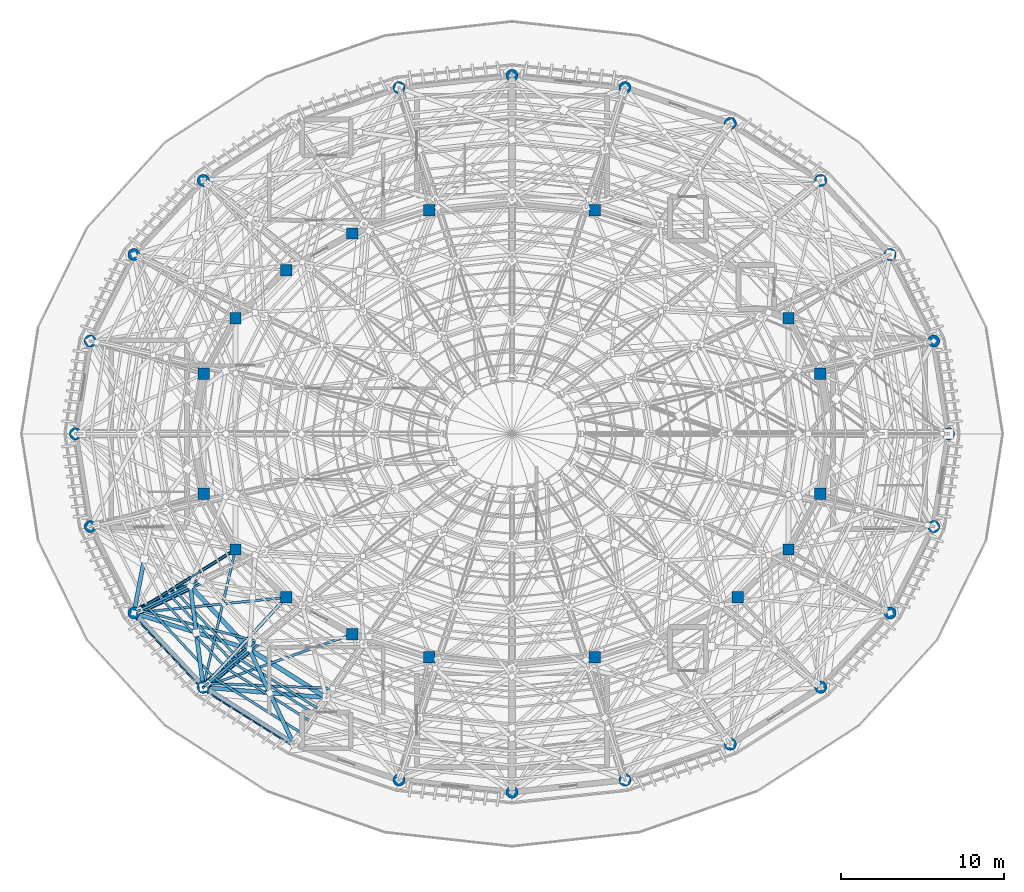
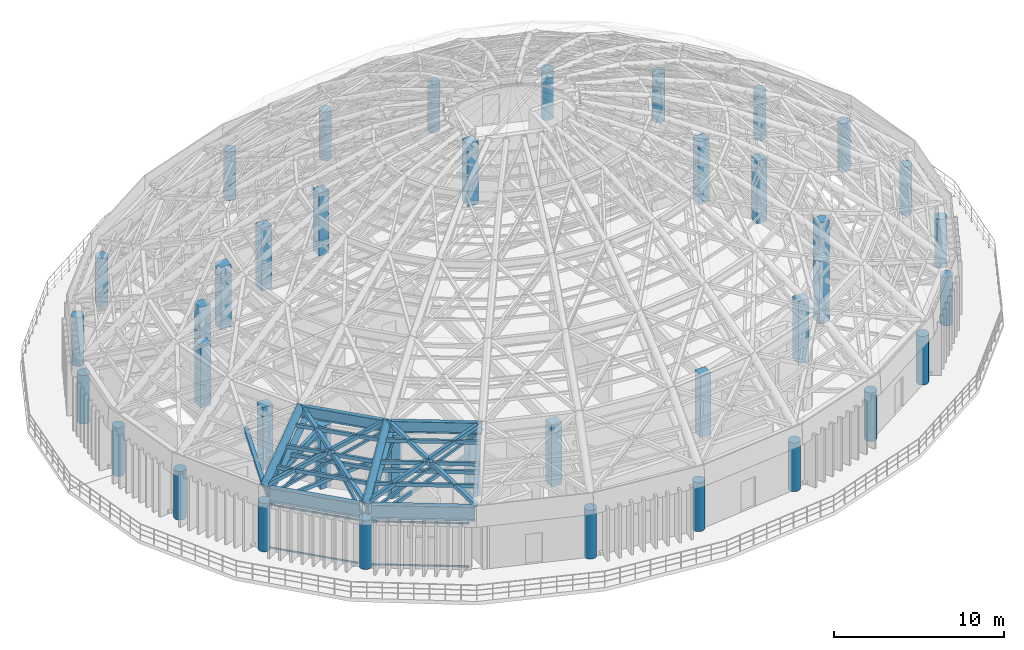
# One storey, part 1 of 50: 39 columns, 35 members, 6 beams.
"""IFC4 building model written with IfcOpenShell, lengths in metres."""

from ifc_helpers import new_model, si_unit, direction, frame, origin, origin_2d, place, context, subcontext, project, spatial, rectangle, hollow_rectangle, circle, hollow_circle, i_section, extrude, material, material_profile, profile_set, type_object, element, save


model = new_model("IFC4")

# Units and contexts
model_context = context("Model", 3, precision=1e-05, world=origin(), true_north=direction((0.0, 1.0)))
body_context = subcontext(model_context, "Body", "Model", "MODEL_VIEW")
ifc_project = project(units=[si_unit("LENGTHUNIT", "METRE"), si_unit("AREAUNIT", "SQUARE_METRE"), si_unit("VOLUMEUNIT", "CUBIC_METRE"), si_unit("PLANEANGLEUNIT", "RADIAN"), si_unit("MASSUNIT", "GRAM", prefix="KILO")], contexts=[model_context])

# Site, building, storey
site_placement = place(None, origin())
site = spatial("IfcSite", under=ifc_project, at=site_placement, CompositionType="ELEMENT")
building_placement = place(site_placement, origin())
building = spatial("IfcBuilding", under=site, at=building_placement, Name="Cinderbank Siding Concert Hall", CompositionType="ELEMENT")
storey_placement = place(building_placement, frame((0.0, 0.0, 23.699951171875)))
storey = spatial("IfcBuildingStorey", under=building, at=storey_placement, Name="L06", CompositionType="ELEMENT", Elevation=23.699951171875)

# Columns
ifc_material_1 = material(Name="Reinforced concrete AS 3600 N50 (50 MPa)", Category="concrete")
ifc_material_profile_1 = material_profile(ifc_material_1, rectangle(XDim=0.699951171875, YDim=0.699951171875, at=origin_2d()), Name="RC-COL-700x700", Category="LoadBearing")
ifc_profile_set_1 = profile_set([ifc_material_profile_1], Name="Reinforced concrete AS 3600 N50 (50 MPa)")
column_type_1 = type_object("IfcColumnType", Name="C-RC700 RC-COL-700x700", PredefinedType="COLUMN", material=ifc_profile_set_1)
for number, where, z_axis, x_axis, name in (
    (1, (140.931884765625, 47.675048828125, 0.0), (0.0, 0.0, 1.0), (1.0, 0.0, 0.0), "L06 Column COL-E1-02"),
    (2, (138.97412109375, 51.10009765625, 0.0), (0.0, 0.0, 1.0), (1.0, 0.0, 0.0), "L06 Column COL-E1-03"),
    (3, (127.072998046875, 57.716064453125, 0.0), (0.0, 0.0, 1.0), (1.0, 0.0, 0.0), "L06 Column COL-E1-06"),
    (4, (116.927001953125, 57.716064453125, 0.0), (0.0, 0.0, 1.0), (1.0, 0.0, 0.0), "L06 Column COL-E1-08"),
    (5, (112.199951171875, 56.298095703125, 0.0), (0.0, 0.0, 1.0), (1.0, 0.0, 0.0), "L06 Column COL-E1-09"),
    (6, (108.14111328125, 54.041015625, 0.0), (0.0, 0.0, 1.0), (1.0, 0.0, 0.0), "L06 Column COL-E1-10"),
    (7, (105.02587890625, 51.10009765625, 0.0), (0.0, 0.0, 1.0), (1.0, 0.0, 0.0), "L06 Column COL-E1-11"),
    (8, (103.068115234375, 47.675048828125, 0.0), (0.0, 0.0, 1.0), (1.0, 0.0, 0.0), "L06 Column COL-E1-12"),
    (9, (103.068115234375, 40.324951171875, 0.0), (0.0, 0.0, 1.0), (1.0, 0.0, 0.0), "L06 Column COL-E1-14"),
    (10, (105.02587890625, 36.89990234375, 0.0), (0.0, 0.0, 1.0), (1.0, 0.0, 0.0), "L06 Column COL-E1-15"),
    (11, (108.14111328125, 33.958984375, 0.0), (0.0, 0.0, 1.0), (1.0, 0.0, 0.0), "L06 Column COL-E1-16"),
    (12, (112.199951171875, 31.701904296875, 0.0), (0.0, 0.0, 1.0), (1.0, 0.0, 0.0), "L06 Column COL-E1-17"),
    (13, (116.927001953125, 30.283935546875, 0.0), (0.0, 0.0, 1.0), (1.0, 0.0, 0.0), "L06 Column COL-E1-18"),
    (14, (127.072998046875, 30.283935546875, 0.0), (0.0, 0.0, 1.0), (1.0, 0.0, 0.0), "L06 Column COL-E1-20"),
    (15, (135.85888671875, 33.958984375, 0.0), (0.0, 0.0, 1.0), (1.0, 0.0, 0.0), "L06 Column COL-E1-22"),
    (16, (138.97412109375, 36.89990234375, 0.0), (0.0, 0.0, 1.0), (1.0, 0.0, 0.0), "L06 Column COL-E1-23"),
    (17, (140.931884765625, 40.324951171875, 0.0), (0.0, 0.0, 1.0), (1.0, 0.0, 0.0), "L06 Column COL-E1-24"),
):
    element("IfcColumn", number, at=place(storey_placement, frame(where, z_axis=z_axis, x_axis=x_axis)), inside=storey, type_object=column_type_1, Name=name, PredefinedType="COLUMN", context=body_context, shape_type="SweptSolid", body=[
        extrude(rectangle(XDim=0.699951171875, YDim=0.699951171875, at=origin_2d()), origin(), (0.0, 0.0, 1.0), 4.5),
    ])
ifc_material_profile_2 = material_profile(ifc_material_1, circle(Radius=0.375, at=origin_2d()), Name="RC-COL-750DIA", Category="LoadBearing")
ifc_profile_set_2 = profile_set([ifc_material_profile_2], Name="Reinforced concrete AS 3600 N50 (50 MPa)")
column_type_2 = type_object("IfcColumnType", Name="C-RCD750 RC-COL-750DIA", PredefinedType="COLUMN", material=ifc_profile_set_2)
for number, where, z_axis, x_axis, name in (
    (18, (148.800048828125, 44.0, 0.0), (0.0, 0.0, 1.0), (1.0, 0.0, 0.0), "L06 Column COL-E2-01"),
    (19, (147.886962890625, 49.694091796875, 0.0), (0.0, 0.0, 1.0), (1.0, 0.0, 0.0), "L06 Column COL-E2-02"),
    (20, (145.208984375, 55.0, 0.0), (0.0, 0.0, 1.0), (1.0, 0.0, 0.0), "L06 Column COL-E2-03"),
    (21, (140.950927734375, 59.555908203125, 0.0), (0.0, 0.0, 1.0), (1.0, 0.0, 0.0), "L06 Column COL-E2-04"),
    (22, (135.39990234375, 63.052978515625, 0.0), (0.0, 0.0, 1.0), (1.0, 0.0, 0.0), "L06 Column COL-E2-05"),
    (23, (128.93603515625, 65.25, 0.0), (0.0, 0.0, 1.0), (1.0, 0.0, 0.0), "L06 Column COL-E2-06"),
    (24, (122.0, 66.0, 0.0), (0.0, 0.0, 1.0), (1.0, 0.0, 0.0), "L06 Column COL-E2-07"),
    (25, (115.06396484375, 65.25, 0.0), (0.0, 0.0, 1.0), (1.0, 0.0, 0.0), "L06 Column COL-E2-08"),
    (26, (103.049072265625, 59.555908203125, 0.0), (0.0, 0.0, 1.0), (1.0, 0.0, 0.0), "L06 Column COL-E2-10"),
    (27, (98.7900390625, 55.0, 0.0), (0.0, 0.0, 1.0), (1.0, 0.0, 0.0), "L06 Column COL-E2-11"),
    (28, (96.113037109375, 49.694091796875, 0.0), (0.0, 0.0, 1.0), (1.0, 0.0, 0.0), "L06 Column COL-E2-12"),
    (29, (95.199951171875, 44.0, 0.0), (0.0, 0.0, 1.0), (1.0, 0.0, 0.0), "L06 Column COL-E2-13"),
    (30, (96.113037109375, 38.305908203125, 0.0), (0.0, 0.0, 1.0), (1.0, 0.0, 0.0), "L06 Column COL-E2-14"),
    (31, (98.7900390625, 33.0, 0.0), (0.0, 0.0, 1.0), (1.0, 0.0, 0.0), "L06 Column COL-E2-15"),
    (32, (103.049072265625, 28.444091796875, 0.0), (0.0, 0.0, 1.0), (1.0, 0.0, 0.0), "L06 Column COL-E2-16"),
    (33, (115.06396484375, 22.75, 0.0), (0.0, 0.0, 1.0), (1.0, 0.0, 0.0), "L06 Column COL-E2-18"),
    (34, (122.0, 22.0, 0.0), (0.0, 0.0, 1.0), (1.0, 0.0, 0.0), "L06 Column COL-E2-19"),
    (35, (128.93603515625, 22.75, 0.0), (0.0, 0.0, 1.0), (1.0, 0.0, 0.0), "L06 Column COL-E2-20"),
    (36, (135.39990234375, 24.947021484375, 0.0), (0.0, 0.0, 1.0), (1.0, 0.0, 0.0), "L06 Column COL-E2-21"),
    (37, (140.950927734375, 28.444091796875, 0.0), (0.0, 0.0, 1.0), (1.0, 0.0, 0.0), "L06 Column COL-E2-22"),
    (38, (145.208984375, 33.0, 0.0), (0.0, 0.0, 1.0), (1.0, 0.0, 0.0), "L06 Column COL-E2-23"),
    (39, (147.886962890625, 38.305908203125, 0.0), (0.0, 0.0, 1.0), (1.0, 0.0, 0.0), "L06 Column COL-E2-24"),
):
    element("IfcColumn", number, at=place(storey_placement, frame(where, z_axis=z_axis, x_axis=x_axis)), inside=storey, type_object=column_type_2, Name=name, PredefinedType="COLUMN", context=body_context, shape_type="SweptSolid", body=[
        extrude(circle(Radius=0.375, at=origin_2d()), origin(), (0.0, 0.0, 1.0), 3.5),
    ])

# Beams
ifc_material_2 = material(Name="Structural steel AS/NZS 3679.1 Grade 350 (340 MPa)", Category="steel")
ifc_material_profile_3 = material_profile(ifc_material_2, i_section(OverallWidth=0.208984375, OverallDepth=0.532958984375, WebThickness=0.01025390625, FlangeThickness=0.015625, at=origin_2d()), Name="530UB92.4", Category="LoadBearing")
ifc_profile_set_3 = profile_set([ifc_material_profile_3], Name="Structural steel AS/NZS 3679.1 Grade 350 (340 MPa)")
beam_type_1 = type_object("IfcBeamType", Name="BM-UB530H 530UB92.4", PredefinedType="BEAM", material=ifc_profile_set_3)
beam_1_placement = place(storey_placement, frame((104.73583984375, 36.718505859375, 4.235595703125), z_axis=(-0.84781868984, -0.530286214376, 0.0), x_axis=(0.530286214376, -0.84781868984, 0.0)))
element("IfcBeam", 40, at=beam_1_placement, inside=storey, type_object=beam_type_1, Name="L06 Beam BM-UB530H #847", PredefinedType="BEAM", context=body_context, shape_type="SweptSolid", body=[
    extrude(i_section(OverallWidth=0.208984375, OverallDepth=0.532958984375, WebThickness=0.01025390625, FlangeThickness=0.015625, at=origin_2d()), origin(), (0.0, 0.0, 1.0), 6.645263671875),
])
beam_2_placement = place(storey_placement, frame((107.90869140625, 33.707763671875, 4.235595703125), z_axis=(-0.67829203735, -0.734792427879, 0.0), x_axis=(0.734792427879, -0.67829203735, 0.0)))
element("IfcBeam", 41, at=beam_2_placement, inside=storey, type_object=beam_type_1, Name="L06 Beam BM-UB530H #848", PredefinedType="BEAM", context=body_context, shape_type="SweptSolid", body=[
    extrude(i_section(OverallWidth=0.208984375, OverallDepth=0.532958984375, WebThickness=0.01025390625, FlangeThickness=0.015625, at=origin_2d()), origin(), (0.0, 0.0, 1.0), 6.797119140625),
])
ifc_material_3 = material(Name="Structural steel welded plate section AS/NZS 3679.2 / AS/NZS 3678 Grade 350 (340 MPa)", Category="steel")
ifc_material_profile_4 = material_profile(ifc_material_3, i_section(OverallWidth=0.35009765625, OverallDepth=1.0, WebThickness=0.013916015625, FlangeThickness=0.02490234375, at=origin_2d()), Name="1000WB258", Category="LoadBearing")
ifc_profile_set_4 = profile_set([ifc_material_profile_4], Name="Structural steel welded plate section AS/NZS 3679.2 / AS/NZS 3678 Grade 350 (340 MPa)")
beam_type_2 = type_object("IfcBeamType", Name="BM-WB1000 1000WB258", PredefinedType="BEAM", material=ifc_profile_set_4)
beam_3_placement = place(storey_placement, frame((99.041015625, 32.73193359375, 4.0), z_axis=(0.682880789785, -0.730529826183, 0.0), x_axis=(0.730529826183, 0.682880789785, 0.0)))
element("IfcBeam", 42, at=beam_3_placement, inside=storey, type_object=beam_type_2, Name="L06 Beam BM-WB1000 #830", PredefinedType="BEAM", context=body_context, shape_type="SweptSolid", body=[
    extrude(i_section(OverallWidth=0.35009765625, OverallDepth=1.0, WebThickness=0.013916015625, FlangeThickness=0.02490234375, at=origin_2d()), origin(), (0.0, 0.0, 1.0), 5.5029296875),
])
beam_4_placement = place(storey_placement, frame((103.360107421875, 28.248046875, 4.0), z_axis=(0.846129105175, -0.532977989578, 0.0), x_axis=(0.532977989578, 0.846129105175, 0.0)))
element("IfcBeam", 43, at=beam_4_placement, inside=storey, type_object=beam_type_2, Name="L06 Beam BM-WB1000 #831", PredefinedType="BEAM", context=body_context, shape_type="SweptSolid", body=[
    extrude(i_section(OverallWidth=0.35009765625, OverallDepth=1.0, WebThickness=0.013916015625, FlangeThickness=0.02490234375, at=origin_2d()), origin(), (0.0, 0.0, 1.0), 6.0927734375),
])
ifc_material_profile_5 = material_profile(ifc_material_3, i_section(OverallWidth=0.27490234375, OverallDepth=0.800048828125, WebThickness=0.010009765625, FlangeThickness=0.01611328125, at=origin_2d()), Name="800WB146", Category="LoadBearing")
ifc_profile_set_5 = profile_set([ifc_material_profile_5], Name="Structural steel welded plate section AS/NZS 3679.2 / AS/NZS 3678 Grade 350 (340 MPa)")
beam_type_3 = type_object("IfcBeamType", Name="BM-WB800 800WB146", PredefinedType="BEAM", material=ifc_profile_set_5)
beam_5_placement = place(storey_placement, frame((102.254638671875, 34.64990234375, 7.699951171875), z_axis=(0.683191972894, -0.730238815849, 0.0), x_axis=(0.730238815849, 0.683191972894, 0.0)))
element("IfcBeam", 44, at=beam_5_placement, inside=storey, type_object=beam_type_3, Name="L06 Beam BM-WB800 #2047", PredefinedType="BEAM", context=body_context, shape_type="SweptSolid", body=[
    extrude(i_section(OverallWidth=0.27490234375, OverallDepth=0.800048828125, WebThickness=0.010009765625, FlangeThickness=0.01611328125, at=origin_2d()), origin(), (0.0, 0.0, 1.0), 5.303466796875),
])
beam_6_placement = place(storey_placement, frame((105.8779296875, 30.777099609375, 7.699951171875), z_axis=(0.846357040172, -0.532615959723, 0.0), x_axis=(0.532615959723, 0.846357040172, 0.0)))
element("IfcBeam", 45, at=beam_6_placement, inside=storey, type_object=beam_type_3, Name="L06 Beam BM-WB800 #2048", PredefinedType="BEAM", context=body_context, shape_type="SweptSolid", body=[
    extrude(i_section(OverallWidth=0.27490234375, OverallDepth=0.800048828125, WebThickness=0.010009765625, FlangeThickness=0.01611328125, at=origin_2d()), origin(), (0.0, 0.0, 1.0), 5.579345703125),
])

# Members
ifc_material_4 = material(Name="Structural steel hollow section AS/NZS 1163 Grade C350L0 (350 MPa)", Category="steel")
ifc_material_profile_6 = material_profile(ifc_material_4, hollow_rectangle(XDim=0.14990234375, YDim=0.14990234375, WallThickness=0.008056640625, at=origin_2d()), Name="150x150x8.0SHS", Category="LoadBearing")
ifc_profile_set_6 = profile_set([ifc_material_profile_6], Name="Structural steel hollow section AS/NZS 1163 Grade C350L0 (350 MPa)")
member_type_1 = type_object("IfcMemberType", Name="BR-SHS150 150x150x8.0SHS Roof Truss", PredefinedType="BRACE", material=ifc_profile_set_6)
member_1_placement = place(storey_placement, frame((99.138671875, 33.1650390625, 3.550048828125), z_axis=(0.545595440162, 0.259994630343, 0.79669844224), x_axis=(-0.430186155729, 0.902740201508, 0.0)))
element("IfcMember", 46, at=member_1_placement, inside=storey, type_object=member_type_1, Name="L06 Diagonal Brace BR-SHS150 #DWBD-BR-SHS150-L06-0698", PredefinedType="BRACE", context=body_context, shape_type="SweptSolid", body=[
    extrude(hollow_rectangle(XDim=0.14990234375, YDim=0.14990234375, WallThickness=0.008056640625, at=origin_2d()), origin(), (0.0, 0.0, 1.0), 5.711181640625),
])
member_2_placement = place(storey_placement, frame((99.138671875, 33.1650390625, 3.550048828125), z_axis=(-0.339616879997, -0.160996501317, 0.926682524592), x_axis=(0.428358715974, -0.903608770679, 0.0)))
element("IfcMember", 47, at=member_2_placement, inside=storey, type_object=member_type_1, Name="L06 Diagonal Brace BR-SHS150 #DWBV-BR-SHS150-L06-0701", PredefinedType="BRACE", context=body_context, shape_type="SweptSolid", body=[
    extrude(hollow_rectangle(XDim=0.14990234375, YDim=0.14990234375, WallThickness=0.008056640625, at=origin_2d()), origin(), (0.0, 0.0, 1.0), 1.025146484375),
])
member_3_placement = place(storey_placement, frame((99.138671875, 33.1650390625, 3.550048828125), z_axis=(0.872886709146, -0.230075604266, 0.430272017819), x_axis=(0.25487513869, 0.966973972596, 0.0)))
element("IfcMember", 48, at=member_3_placement, inside=storey, type_object=member_type_1, Name="L06 Diagonal Brace BR-SHS150 #DBRI-BR-SHS150-L06-0707", PredefinedType="BRACE", context=body_context, shape_type="SweptSolid", body=[
    extrude(hollow_rectangle(XDim=0.14990234375, YDim=0.14990234375, WallThickness=0.008056640625, at=origin_2d()), origin(), (0.0, 0.0, 1.0), 8.366943359375),
])
member_4_placement = place(storey_placement, frame((103.333740234375, 28.677001953125, 3.550048828125), z_axis=(0.452689460035, 0.373671887076, 0.80959346192), x_axis=(-0.636588791364, 0.771203417206, 0.0)))
element("IfcMember", 49, at=member_4_placement, inside=storey, type_object=member_type_1, Name="L06 Diagonal Brace BR-SHS150 #DWBD-BR-SHS150-L06-0710", PredefinedType="BRACE", context=body_context, shape_type="SweptSolid", body=[
    extrude(hollow_rectangle(XDim=0.14990234375, YDim=0.14990234375, WallThickness=0.008056640625, at=origin_2d()), origin(), (0.0, 0.0, 1.0), 5.6201171875),
])
member_5_placement = place(storey_placement, frame((103.333740234375, 28.677001953125, 3.550048828125), z_axis=(-0.27897780154, -0.229126098172, 0.932562393293), x_axis=(0.63468279093, -0.772772770546, 0.0)))
element("IfcMember", 50, at=member_5_placement, inside=storey, type_object=member_type_1, Name="L06 Diagonal Brace BR-SHS150 #DWBV-BR-SHS150-L06-0713", PredefinedType="BRACE", context=body_context, shape_type="SweptSolid", body=[
    extrude(hollow_rectangle(XDim=0.14990234375, YDim=0.14990234375, WallThickness=0.008056640625, at=origin_2d()), origin(), (0.0, 0.0, 1.0), 1.0185546875),
])
member_6_placement = place(storey_placement, frame((103.333740234375, 28.677001953125, 3.550048828125), z_axis=(0.90455499576, -0.035983985403, 0.424835747602), x_axis=(0.039749431129, 0.999209679059, 0.0)))
element("IfcMember", 51, at=member_6_placement, inside=storey, type_object=member_type_1, Name="L06 Diagonal Brace BR-SHS150 #DBRI-BR-SHS150-L06-0719", PredefinedType="BRACE", context=body_context, shape_type="SweptSolid", body=[
    extrude(hollow_rectangle(XDim=0.14990234375, YDim=0.14990234375, WallThickness=0.008056640625, at=origin_2d()), origin(), (0.0, 0.0, 1.0), 8.47412109375),
])
member_7_placement = place(storey_placement, frame((102.94580078125, 34.977294921875, 7.150146484375), z_axis=(-0.56673612526, -0.26845395407, 0.778936864495), x_axis=(0.428086344739, -0.903737838894, 0.0)))
element("IfcMember", 52, at=member_7_placement, inside=storey, type_object=member_type_1, Name="L06 Diagonal Brace BR-SHS150 #DWBV-BR-SHS150-L06-0989", PredefinedType="BRACE", context=body_context, shape_type="SweptSolid", body=[
    extrude(hollow_rectangle(XDim=0.14990234375, YDim=0.14990234375, WallThickness=0.008056640625, at=origin_2d()), origin(), (0.0, 0.0, 1.0), 1.219482421875),
])
member_8_placement = place(storey_placement, frame((106.442138671875, 31.239990234375, 7.150146484375), z_axis=(-0.470991454389, -0.386412720693, 0.793002054966), x_axis=(0.634275599208, -0.77310701992, 0.0)))
element("IfcMember", 53, at=member_8_placement, inside=storey, type_object=member_type_1, Name="L06 Diagonal Brace BR-SHS150 #DWBV-BR-SHS150-L06-1001", PredefinedType="BRACE", context=body_context, shape_type="SweptSolid", body=[
    extrude(hollow_rectangle(XDim=0.14990234375, YDim=0.14990234375, WallThickness=0.008056640625, at=origin_2d()), origin(), (0.0, 0.0, 1.0), 1.197998046875),
])
ifc_material_profile_7 = material_profile(ifc_material_4, hollow_rectangle(XDim=0.25, YDim=0.25, WallThickness=0.010009765625, at=origin_2d()), Name="250x250x10.0SHS", Category="LoadBearing")
ifc_profile_set_7 = profile_set([ifc_material_profile_7], Name="Structural steel hollow section AS/NZS 1163 Grade C350L0 (350 MPa)")
member_type_2 = type_object("IfcMemberType", Name="BR-SHS250 250x250x10.0SHS Roof Truss", PredefinedType="BRACE", material=ifc_profile_set_7)
member_9_placement = place(storey_placement, frame((98.79052734375, 33.0, 4.5), z_axis=(0.164039053176, 0.851661679594, 0.49775854844), x_axis=(-0.981951247907, 0.189134202971, 0.0)))
element("IfcMember", 54, at=member_9_placement, inside=storey, type_object=member_type_2, Name="L06 Diagonal Brace BR-SHS250 #DBRO-BR-SHS250-L06-0694", PredefinedType="BRACE", context=body_context, shape_type="SweptSolid", body=[
    extrude(hollow_rectangle(XDim=0.25, YDim=0.25, WallThickness=0.010009765625, at=origin_2d()), origin(), (0.0, 0.0, 1.0), 3.89501953125),
])
member_10_placement = place(storey_placement, frame((98.79052734375, 33.0, 4.5), z_axis=(0.858632848561, -0.269302517607, 0.436148811053), x_axis=(0.299266732381, 0.954169493796, 0.0)))
element("IfcMember", 55, at=member_10_placement, inside=storey, type_object=member_type_2, Name="L06 Diagonal Brace BR-SHS250 #DBRO-BR-SHS250-L06-0705", PredefinedType="BRACE", context=body_context, shape_type="SweptSolid", body=[
    extrude(hollow_rectangle(XDim=0.25, YDim=0.25, WallThickness=0.010009765625, at=origin_2d()), origin(), (0.0, 0.0, 1.0), 8.25439453125),
])
member_11_placement = place(storey_placement, frame((103.049560546875, 28.443603515625, 4.5), z_axis=(-0.110106211662, 0.859745479311, 0.498712675754), x_axis=(-0.991898764162, -0.127030868905, 0.0)))
element("IfcMember", 56, at=member_11_placement, inside=storey, type_object=member_type_2, Name="L06 Diagonal Brace BR-SHS250 #DBRO-BR-SHS250-L06-0706", PredefinedType="BRACE", context=body_context, shape_type="SweptSolid", body=[
    extrude(hollow_rectangle(XDim=0.25, YDim=0.25, WallThickness=0.010009765625, at=origin_2d()), origin(), (0.0, 0.0, 1.0), 3.886962890625),
])
member_12_placement = place(storey_placement, frame((102.6181640625, 31.811279296875, 6.453369140625), z_axis=(-0.110100351574, 0.85972920601, 0.498742022408), x_axis=(-0.991899313078, -0.12702658271, 0.0)))
element("IfcMember", 57, at=member_12_placement, inside=storey, type_object=member_type_2, Name="L06 Diagonal Brace BR-SHS250 #DBRO-BR-SHS250-L06-0706-S71", PredefinedType="BRACE", context=body_context, shape_type="SweptSolid", body=[
    extrude(hollow_rectangle(XDim=0.25, YDim=0.25, WallThickness=0.010009765625, at=origin_2d()), origin(), (0.0, 0.0, 1.0), 3.3017578125),
])
member_13_placement = place(storey_placement, frame((103.049560546875, 28.443603515625, 4.5), z_axis=(0.900031188396, -0.076072089969, 0.429135056879), x_axis=(0.084221316312, 0.996447073295, 0.0)))
element("IfcMember", 58, at=member_13_placement, inside=storey, type_object=member_type_2, Name="L06 Diagonal Brace BR-SHS250 #DBRO-BR-SHS250-L06-0717", PredefinedType="BRACE", context=body_context, shape_type="SweptSolid", body=[
    extrude(hollow_rectangle(XDim=0.25, YDim=0.25, WallThickness=0.010009765625, at=origin_2d()), origin(), (0.0, 0.0, 1.0), 8.38916015625),
])
member_14_placement = place(storey_placement, frame((108.60009765625, 24.947509765625, 4.5), z_axis=(-0.369192061339, 0.790721694593, 0.488320001172), x_axis=(-0.906100301336, -0.423062931393, 0.0)))
element("IfcMember", 59, at=member_14_placement, inside=storey, type_object=member_type_2, Name="L06 Diagonal Brace BR-SHS250 #DBRO-BR-SHS250-L06-0718", PredefinedType="BRACE", context=body_context, shape_type="SweptSolid", body=[
    extrude(hollow_rectangle(XDim=0.25, YDim=0.25, WallThickness=0.010009765625, at=origin_2d()), origin(), (0.0, 0.0, 1.0), 3.9697265625),
])
member_15_placement = place(storey_placement, frame((107.123291015625, 28.110107421875, 6.453125), z_axis=(-0.369228339727, 0.790717581489, 0.488299231483), x_axis=(-0.906083521163, -0.423098868679, 0.0)))
element("IfcMember", 60, at=member_15_placement, inside=storey, type_object=member_type_2, Name="L06 Diagonal Brace BR-SHS250 #DBRO-BR-SHS250-L06-0718-S72", PredefinedType="BRACE", context=body_context, shape_type="SweptSolid", body=[
    extrude(hollow_rectangle(XDim=0.25, YDim=0.25, WallThickness=0.010009765625, at=origin_2d()), origin(), (0.0, 0.0, 1.0), 3.372802734375),
])
ifc_material_profile_8 = material_profile(ifc_material_4, hollow_circle(Radius=0.203125, WallThickness=0.01611328125, at=origin_2d()), Name="406.4x16.0CHS", Category="LoadBearing")
ifc_profile_set_8 = profile_set([ifc_material_profile_8], Name="Structural steel hollow section AS/NZS 1163 Grade C350L0 (350 MPa)")
member_type_3 = type_object("IfcMemberType", Name="DR-CHS406 406.4x16.0CHS Roof Truss", PredefinedType="RAFTER", material=ifc_profile_set_8)
member_16_placement = place(storey_placement, frame((99.138671875, 33.1650390625, 3.550048828125), z_axis=(0.686675048231, 0.326868595807, 0.649333734848), x_axis=(-0.429805464198, 0.902921515385, 0.0)))
element("IfcMember", 61, at=member_16_placement, inside=storey, type_object=member_type_3, Name="L06 Roof Truss Member DR-CHS406 #697", PredefinedType="RAFTER", context=body_context, shape_type="SweptSolid", body=[
    extrude(hollow_circle(Radius=0.203125, WallThickness=0.01611328125, at=origin_2d()), origin(), (0.0, 0.0, 1.0), 5.544189453125),
])
member_17_placement = place(storey_placement, frame((103.333740234375, 28.677001953125, 3.550048828125), z_axis=(0.575316188818, 0.474369254651, 0.666322064115), x_axis=(-0.636170191189, 0.771548759213, 0.0)))
element("IfcMember", 62, at=member_17_placement, inside=storey, type_object=member_type_3, Name="L06 Roof Truss Member DR-CHS406 #709", PredefinedType="RAFTER", context=body_context, shape_type="SweptSolid", body=[
    extrude(hollow_circle(Radius=0.203125, WallThickness=0.01611328125, at=origin_2d()), origin(), (0.0, 0.0, 1.0), 5.40283203125),
])
ifc_material_profile_9 = material_profile(ifc_material_4, hollow_circle(Radius=0.25390625, WallThickness=0.01611328125, at=origin_2d()), Name="508.0x16.0CHS", Category="LoadBearing")
ifc_profile_set_9 = profile_set([ifc_material_profile_9], Name="Structural steel hollow section AS/NZS 1163 Grade C350L0 (350 MPa)")
member_type_4 = type_object("IfcMemberType", Name="DR-CHS508 508.0x16.0CHS Roof Truss", PredefinedType="RAFTER", material=ifc_profile_set_9)
member_18_placement = place(storey_placement, frame((98.79052734375, 33.0, 4.5), z_axis=(0.658393706592, 0.313582681595, 0.684239452914), x_axis=(-0.430002735645, 0.902827584502, 0.0)))
element("IfcMember", 63, at=member_18_placement, inside=storey, type_object=member_type_4, Name="L06 Roof Truss Member DR-CHS508 #696", PredefinedType="RAFTER", context=body_context, shape_type="SweptSolid", body=[
    extrude(hollow_circle(Radius=0.25390625, WallThickness=0.01611328125, at=origin_2d()), origin(), (0.0, 0.0, 1.0), 5.261474609375),
])
member_19_placement = place(storey_placement, frame((103.049560546875, 28.443603515625, 4.5), z_axis=(0.550412440768, 0.454108080177, 0.700594031209), x_axis=(-0.636397811369, 0.771361021627, 0.0)))
element("IfcMember", 64, at=member_19_placement, inside=storey, type_object=member_type_4, Name="L06 Roof Truss Member DR-CHS508 #708", PredefinedType="RAFTER", context=body_context, shape_type="SweptSolid", body=[
    extrude(hollow_circle(Radius=0.25390625, WallThickness=0.01611328125, at=origin_2d()), origin(), (0.0, 0.0, 1.0), 5.138671875),
])
ifc_material_5 = material(Name="Anodised aluminium alloy 6063-T6", Category="aluminium")
ifc_material_profile_10 = material_profile(ifc_material_5, rectangle(XDim=0.080078125, YDim=0.10009765625, at=origin_2d()), Name="ALU-RAIL-80x100", Category="LoadBearing")
ifc_profile_set_10 = profile_set([ifc_material_profile_10], Name="Anodised aluminium alloy 6063-T6")
member_type_5 = type_object("IfcMemberType", Name="LV-RL1 Carrier Rail 80x100", PredefinedType="STUD", material=ifc_profile_set_10)
for number, where, z_axis, x_axis, name in (
    (65, (98.94677734375, 32.645751953125, 0.219970703125), (0.682858444422, -0.730550713422, 0.0), (0.730550713422, 0.682858444422, 0.0), "L06 Louvre Carrier Rail 15 BOT"),
    (66, (98.94677734375, 32.645751953125, 3.320068359375), (0.682858444422, -0.730550713422, 0.0), (0.730550713422, 0.682858444422, 0.0), "L06 Louvre Carrier Rail 15 TOP"),
):
    element("IfcMember", number, at=place(storey_placement, frame(where, z_axis=z_axis, x_axis=x_axis)), inside=storey, type_object=member_type_5, Name=name, PredefinedType="STUD", context=body_context, shape_type="SweptSolid", body=[
        extrude(rectangle(XDim=0.080078125, YDim=0.10009765625, at=origin_2d()), origin(), (0.0, 0.0, 1.0), 5.45703125),
    ])
for number, where, z_axis, x_axis, name in (
    (67, (103.290771484375, 28.140869140625, 0.219970703125), (0.84612066394, -0.532991390225, 0.0), (0.532991390225, 0.84612066394, 0.0), "L06 Louvre Carrier Rail 16 BOT"),
    (68, (103.290771484375, 28.140869140625, 3.320068359375), (0.84612066394, -0.532991390225, 0.0), (0.532991390225, 0.84612066394, 0.0), "L06 Louvre Carrier Rail 16 TOP"),
):
    element("IfcMember", number, at=place(storey_placement, frame(where, z_axis=z_axis, x_axis=x_axis)), inside=storey, type_object=member_type_5, Name=name, PredefinedType="STUD", context=body_context, shape_type="SweptSolid", body=[
        extrude(rectangle(XDim=0.080078125, YDim=0.10009765625, at=origin_2d()), origin(), (0.0, 0.0, 1.0), 5.77978515625),
    ])
ifc_material_profile_11 = material_profile(ifc_material_4, hollow_rectangle(XDim=0.10009765625, YDim=0.199951171875, WallThickness=0.008056640625, at=origin_2d()), Name="200x100x8.0RHS", Category="LoadBearing")
ifc_profile_set_11 = profile_set([ifc_material_profile_11], Name="Structural steel hollow section AS/NZS 1163 Grade C350L0 (350 MPa)")
member_type_6 = type_object("IfcMemberType", Name="PR-RHS200 200x100x8.0RHS Roof Truss", PredefinedType="PURLIN", material=ifc_profile_set_11)
member_20_placement = place(storey_placement, frame((105.02587890625, 36.89990234375, 2.81005859375), z_axis=(-0.847826684568, -0.530273432235, 0.0), x_axis=(0.530273432235, -0.847826684568, 0.0)))
element("IfcMember", 69, at=member_20_placement, inside=storey, type_object=member_type_6, Name="L06 Roof Truss Member PR-RHS200 #2357", PredefinedType="PURLIN", context=body_context, shape_type="SweptSolid", body=[
    extrude(hollow_rectangle(XDim=0.10009765625, YDim=0.199951171875, WallThickness=0.008056640625, at=origin_2d()), origin(), (0.0, 0.0, 1.0), 7.3544921875),
])
ifc_material_profile_12 = material_profile(ifc_material_4, hollow_rectangle(XDim=0.14990234375, YDim=0.25, WallThickness=0.009033203125, at=origin_2d()), Name="250x150x9.0RHS", Category="LoadBearing")
ifc_profile_set_12 = profile_set([ifc_material_profile_12], Name="Structural steel hollow section AS/NZS 1163 Grade C350L0 (350 MPa)")
member_type_7 = type_object("IfcMemberType", Name="PR-RHS250 250x150x9.0RHS Roof Truss", PredefinedType="PURLIN", material=ifc_profile_set_12)
member_21_placement = place(storey_placement, frame((101.042236328125, 34.071044921875, 5.35009765625), z_axis=(0.683013150283, -0.730406076467, 0.0), x_axis=(0.730406076467, 0.683013150283, 0.0)))
element("IfcMember", 70, at=member_21_placement, inside=storey, type_object=member_type_7, Name="L06 Roof Truss Member PR-RHS250 #700", PredefinedType="PURLIN", context=body_context, shape_type="SweptSolid", body=[
    extrude(hollow_rectangle(XDim=0.14990234375, YDim=0.25, WallThickness=0.009033203125, at=origin_2d()), origin(), (0.0, 0.0, 1.0), 5.630615234375),
])
member_22_placement = place(storey_placement, frame((99.621826171875, 33.39599609375, 5.364013671875), z_axis=(0.682934278853, -0.730479822286, 0.0), x_axis=(0.730479822286, 0.682934278853, 0.0)))
element("IfcMember", 71, at=member_22_placement, inside=storey, type_object=member_type_7, Name="L06 Roof Truss Member PR-RHS250 #702", PredefinedType="PURLIN", context=body_context, shape_type="SweptSolid", body=[
    extrude(hollow_rectangle(XDim=0.14990234375, YDim=0.25, WallThickness=0.009033203125, at=origin_2d()), origin(), (0.0, 0.0, 1.0), 6.012939453125),
])
member_23_placement = place(storey_placement, frame((100.5224609375, 33.824951171875, 6.300048828125), z_axis=(0.683038480472, -0.730382389023, 0.0), x_axis=(0.730382389023, 0.683038480472, 0.0)))
element("IfcMember", 72, at=member_23_placement, inside=storey, type_object=member_type_7, Name="L06 Roof Truss Member PR-RHS250 #703", PredefinedType="PURLIN", context=body_context, shape_type="SweptSolid", body=[
    extrude(hollow_rectangle(XDim=0.14990234375, YDim=0.25, WallThickness=0.009033203125, at=origin_2d()), origin(), (0.0, 0.0, 1.0), 5.7705078125),
])
member_24_placement = place(storey_placement, frame((101.423095703125, 34.25390625, 7.236083984375), z_axis=(0.68312825559, -0.730298422848, 0.0), x_axis=(0.730298422848, 0.68312825559, 0.0)))
element("IfcMember", 73, at=member_24_placement, inside=storey, type_object=member_type_7, Name="L06 Roof Truss Member PR-RHS250 #704", PredefinedType="PURLIN", context=body_context, shape_type="SweptSolid", body=[
    extrude(hollow_rectangle(XDim=0.14990234375, YDim=0.25, WallThickness=0.009033203125, at=origin_2d()), origin(), (0.0, 0.0, 1.0), 5.527587890625),
])
member_25_placement = place(storey_placement, frame((104.887939453125, 29.95849609375, 5.35009765625), z_axis=(0.846208058507, -0.532852626641, 0.0), x_axis=(0.532852626641, 0.846208058507, 0.0)))
element("IfcMember", 74, at=member_25_placement, inside=storey, type_object=member_type_7, Name="L06 Roof Truss Member PR-RHS250 #712", PredefinedType="PURLIN", context=body_context, shape_type="SweptSolid", body=[
    extrude(hollow_rectangle(XDim=0.14990234375, YDim=0.25, WallThickness=0.009033203125, at=origin_2d()), origin(), (0.0, 0.0, 1.0), 5.9228515625),
])
member_26_placement = place(storey_placement, frame((103.728271484375, 29.003662109375, 5.364013671875), z_axis=(0.846182555837, -0.532893124553, 0.0), x_axis=(0.532893124553, 0.846182555837, 0.0)))
element("IfcMember", 75, at=member_26_placement, inside=storey, type_object=member_type_7, Name="L06 Roof Truss Member PR-RHS250 #714", PredefinedType="PURLIN", context=body_context, shape_type="SweptSolid", body=[
    extrude(hollow_rectangle(XDim=0.14990234375, YDim=0.25, WallThickness=0.009033203125, at=origin_2d()), origin(), (0.0, 0.0, 1.0), 6.32470703125),
])
member_27_placement = place(storey_placement, frame((104.4638671875, 29.6103515625, 6.300048828125), z_axis=(0.846217390517, -0.532837806454, 0.0), x_axis=(0.532837806454, 0.846217390517, 0.0)))
element("IfcMember", 76, at=member_27_placement, inside=storey, type_object=member_type_7, Name="L06 Roof Truss Member PR-RHS250 #715", PredefinedType="PURLIN", context=body_context, shape_type="SweptSolid", body=[
    extrude(hollow_rectangle(XDim=0.14990234375, YDim=0.25, WallThickness=0.009033203125, at=origin_2d()), origin(), (0.0, 0.0, 1.0), 6.069580078125),
])
member_28_placement = place(storey_placement, frame((105.19921875, 30.217041015625, 7.236083984375), z_axis=(0.846286123635, -0.532728633493, 0.0), x_axis=(0.532728633493, 0.846286123635, 0.0)))
element("IfcMember", 77, at=member_28_placement, inside=storey, type_object=member_type_7, Name="L06 Roof Truss Member PR-RHS250 #716", PredefinedType="PURLIN", context=body_context, shape_type="SweptSolid", body=[
    extrude(hollow_rectangle(XDim=0.14990234375, YDim=0.25, WallThickness=0.009033203125, at=origin_2d()), origin(), (0.0, 0.0, 1.0), 5.814697265625),
])
ifc_material_profile_13 = material_profile(ifc_material_4, hollow_rectangle(XDim=0.14990234375, YDim=0.25, WallThickness=0.009033203125, at=origin_2d()), Name="250x150x9.0RHS", Category="LoadBearing")
ifc_profile_set_13 = profile_set([ifc_material_profile_13], Name="Structural steel hollow section AS/NZS 1163 Grade C350L0 (350 MPa)")
member_type_8 = type_object("IfcMemberType", Name="TR-RHS250 250x150x9.0RHS Roof Truss", PredefinedType="RAFTER", material=ifc_profile_set_13)
member_29_placement = place(storey_placement, frame((105.02587890625, 36.89990234375, 3.35009765625), z_axis=(-0.227577092084, -0.973760066525, 0.0), x_axis=(0.973760066525, -0.227577092084, 0.0)))
element("IfcMember", 78, at=member_29_placement, inside=storey, type_object=member_type_8, Name="L06 Roof Truss Member TR-RHS250 #2355", PredefinedType="RAFTER", context=body_context, shape_type="SweptSolid", body=[
    extrude(hollow_rectangle(XDim=0.14990234375, YDim=0.25, WallThickness=0.009033203125, at=origin_2d()), origin(), (0.0, 0.0, 1.0), 8.68408203125),
])
member_30_placement = place(storey_placement, frame((108.140625, 33.958984375, 3.070068359375), z_axis=(-0.994781438611, -0.102028865499, 0.0), x_axis=(0.102028865499, -0.994781438611, 0.0)))
element("IfcMember", 79, at=member_30_placement, inside=storey, type_object=member_type_8, Name="L06 Roof Truss Member TR-RHS250 #2356", PredefinedType="RAFTER", context=body_context, shape_type="SweptSolid", body=[
    extrude(hollow_rectangle(XDim=0.14990234375, YDim=0.25, WallThickness=0.009033203125, at=origin_2d()), origin(), (0.0, 0.0, 1.0), 9.399169921875),
])
member_31_placement = place(storey_placement, frame((112.199951171875, 31.702392578125, 3.070068359375), z_axis=(-0.942041785809, -0.335495564487, 0.0), x_axis=(0.335495564487, -0.942041785809, 0.0)))
element("IfcMember", 80, at=member_31_placement, inside=storey, type_object=member_type_8, Name="L06 Roof Truss Member TR-RHS250 #2358", PredefinedType="RAFTER", context=body_context, shape_type="SweptSolid", body=[
    extrude(hollow_rectangle(XDim=0.14990234375, YDim=0.25, WallThickness=0.009033203125, at=origin_2d()), origin(), (0.0, 0.0, 1.0), 9.71337890625),
])

save(model, "model.ifc")
